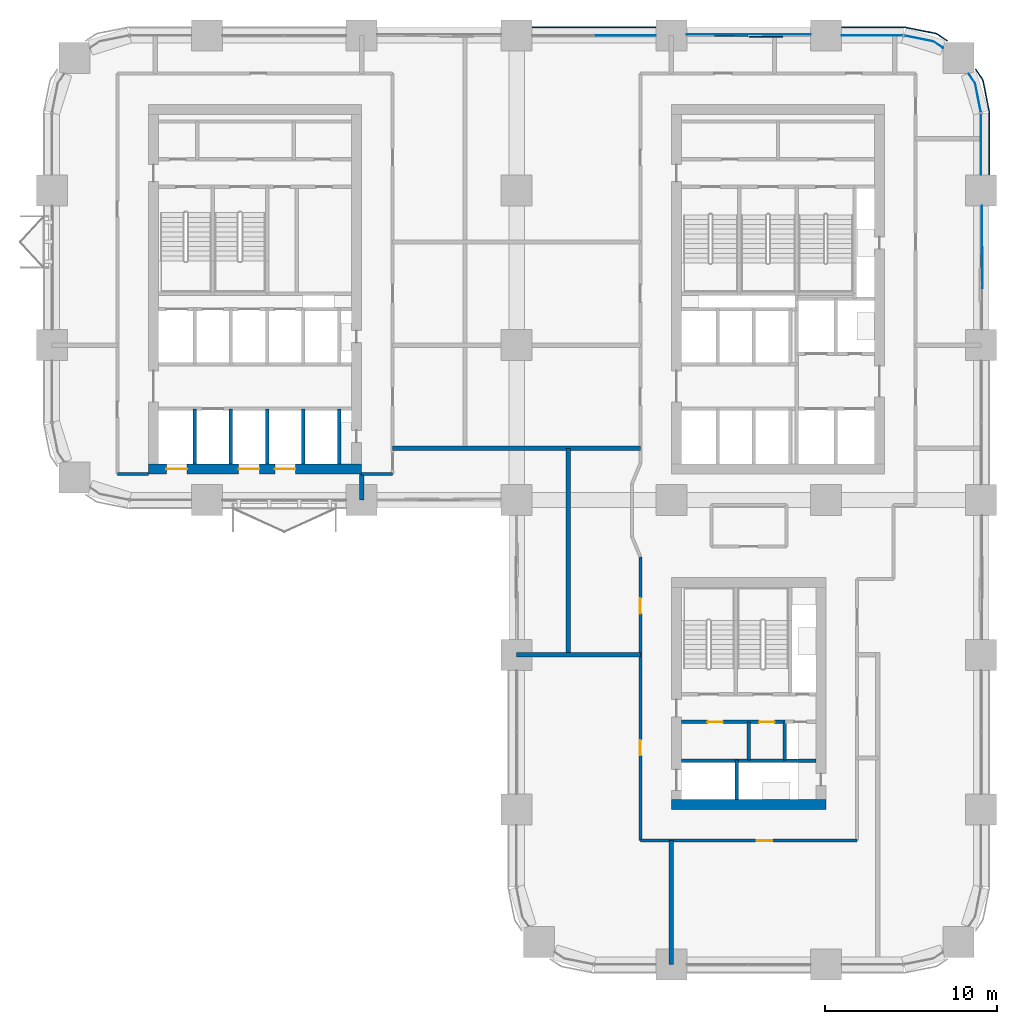
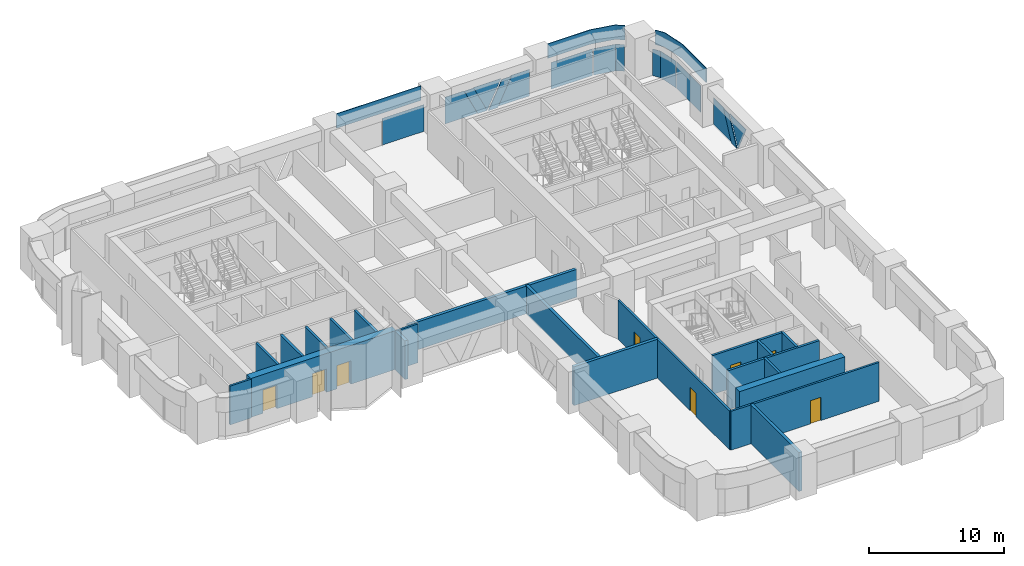
# One storey, part 11 of 18: 21 walls, 16 plates, 8 doors, 8 openings, 5 elements without a shape of their own.
"""IFC4 building model written with IfcOpenShell, lengths in metres."""

from ifc_helpers import new_model, si_unit, direction, frame, frame_2d, origin, origin_2d, place, context, subcontext, project, spatial, polyline, rectangle, outline, extrude, material, layer, layer_set, type_object, element, fill, aggregate, save


model = new_model("IFC4")

# Units and contexts
model_context = context("Model", 3, precision=1e-05, world=origin(), true_north=direction((0.0, 1.0)))
body_context = subcontext(model_context, "Body", "Model", "MODEL_VIEW")
ifc_project = project(units=[si_unit("LENGTHUNIT", "METRE"), si_unit("AREAUNIT", "SQUARE_METRE"), si_unit("VOLUMEUNIT", "CUBIC_METRE"), si_unit("PLANEANGLEUNIT", "RADIAN"), si_unit("MASSUNIT", "GRAM", prefix="KILO")], contexts=[model_context])

# Site, building, storey
site_placement = place(None, origin())
site = spatial("IfcSite", under=ifc_project, at=site_placement, CompositionType="ELEMENT")
building_placement = place(site_placement, origin())
building = spatial("IfcBuilding", under=site, at=building_placement, Name="Tessera Arch", CompositionType="ELEMENT")
storey_placement = place(building_placement, frame((0.0, 0.0, 115.800048828125)))
storey = spatial("IfcBuildingStorey", under=building, at=storey_placement, Name="L27", CompositionType="ELEMENT", Elevation=115.800048828125)

# Curtain wall, plates
ifc_material_1 = material(Name="CW1 curtain wall")
curtain_wall_type_1 = type_object("IfcCurtainWallType", Name="CW1 curtain wall", PredefinedType="NOTDEFINED", material=ifc_material_1)
curtain_wall_1_placement = place(storey_placement, origin())
curtain_wall_1 = element("IfcCurtainWall", 1, at=curtain_wall_1_placement, inside=storey, type_object=curtain_wall_type_1, Name="CW1 curtain wall N54.0/1 L27", PredefinedType="NOTDEFINED")
ifc_material_2 = material(Name="Clear low-e glass", Category="glass")
ifc_material_3 = material(Name="Clear low-e glass", Category="glass")
ifc_layer_1 = layer(ifc_material_3, 0.028076171875)
ifc_layer_set_1 = layer_set([ifc_layer_1], Name="CW1 glass panel")
plate_type_1 = type_object("IfcPlateType", Name="CW1 glass panel", PredefinedType="CURTAIN_PANEL", material=ifc_layer_set_1)
plate_1_placement = place(storey_placement, frame((33.31494140625, 54.0, 0.0), z_axis=(0.0, 0.0, 1.0), x_axis=(-1.0, 0.0, 0.0)))
plate_1 = element("IfcPlate", 2, at=plate_1_placement, type_object=plate_type_1, material=ifc_material_2, Name="CW1 glass panel N54.0/1 1.1.1", PredefinedType="CURTAIN_PANEL", context=body_context, shape_type="SweptSolid", body=[
    extrude(rectangle(XDim=3.570068359375, YDim=0.028076171875, at=origin_2d()), origin(), (0.0, 0.0, 1.0), 2.39990234375),
])
ifc_material_4 = material(Name="Pale anodised aluminium panel", Category="aluminium")
ifc_layer_2 = layer(ifc_material_4, 0.06005859375)
ifc_layer_set_2 = layer_set([ifc_layer_2], Name="CW1 spandrel panel")
plate_type_2 = type_object("IfcPlateType", Name="CW1 spandrel panel", PredefinedType="CURTAIN_PANEL", material=ifc_layer_set_2)
plate_2_placement = place(storey_placement, frame((31.5, 54.47998046875, 2.5), z_axis=(0.0, 0.0, 1.0), x_axis=(-1.0, 0.0, 0.0)))
plate_2 = element("IfcPlate", 3, at=plate_2_placement, type_object=plate_type_2, Name="CW1 spandrel panel N54.0/1", PredefinedType="CURTAIN_PANEL", context=body_context, shape_type="SweptSolid", body=[
    extrude(rectangle(XDim=7.199951171875, YDim=0.06005859375, at=origin_2d()), origin(), (0.0, 0.0, 1.0), 1.300048828125),
])
aggregate(curtain_wall_1, [plate_1, plate_2])

ifc_material_5 = material(Name="CW2 curtain wall")
curtain_wall_type_2 = type_object("IfcCurtainWallType", Name="CW2 curtain wall", PredefinedType="NOTDEFINED", material=ifc_material_5)
curtain_wall_2_placement = place(storey_placement, origin())
curtain_wall_2 = element("IfcCurtainWall", 4, at=curtain_wall_2_placement, inside=storey, type_object=curtain_wall_type_2, Name="CW2 curtain wall E54.0/5 L27", PredefinedType="NOTDEFINED")
ifc_material_6 = material(Name="Clear low-e glass", Category="glass")
ifc_layer_3 = layer(ifc_material_6, 0.028076171875)
ifc_layer_set_3 = layer_set([ifc_layer_3], Name="CW2 glass panel")
plate_type_3 = type_object("IfcPlateType", Name="CW2 glass panel", PredefinedType="CURTAIN_PANEL", material=ifc_layer_set_3)
plate_3_placement = place(storey_placement, frame((54.0, 47.679931640625, 0.0), z_axis=(0.0, 0.0, 1.0), x_axis=(0.0, 1.0, 0.0)))
plate_3 = element("IfcPlate", 5, at=plate_3_placement, type_object=plate_type_3, material=ifc_material_2, Name="CW2 glass panel E54.0/5 1.1", PredefinedType="CURTAIN_PANEL", context=body_context, shape_type="SweptSolid", body=[
    extrude(rectangle(XDim=3.56005859375, YDim=0.028076171875, at=origin_2d()), origin(), (0.0, 0.0, 1.0), 2.39990234375),
])
plate_4_placement = place(storey_placement, origin())
plate_4 = element("IfcPlate", 6, at=plate_4_placement, type_object=plate_type_3, material=ifc_material_2, Name="CW2 curved glass panel E54.0/5 2.1", PredefinedType="CURTAIN_PANEL", context=body_context, shape_type="SweptSolid", body=[
    extrude(outline(polyline([(53.644287109375, 51.216552734375), (53.978515625, 49.53662109375), (54.005859375, 49.5419921875), (53.670654296875, 51.2275390625), (53.294921875, 51.789794921875), (53.271728515625, 51.774169921875), (53.644287109375, 51.216552734375)])), origin(), (0.0, 0.0, 1.0), 2.39990234375),
])

curtain_wall_3_placement = place(storey_placement, origin())
curtain_wall_3 = element("IfcCurtainWall", 7, at=curtain_wall_3_placement, inside=storey, type_object=curtain_wall_type_2, Name="CW2 curtain wall N54.0/5 L27", PredefinedType="NOTDEFINED")
plate_5_placement = place(storey_placement, frame((47.679931640625, 54.0, 0.0), z_axis=(0.0, 0.0, 1.0), x_axis=(-1.0, 0.0, 0.0)))
plate_5 = element("IfcPlate", 8, at=plate_5_placement, type_object=plate_type_3, material=ifc_material_2, Name="CW2 glass panel N54.0/5 1.1", PredefinedType="CURTAIN_PANEL", context=body_context, shape_type="SweptSolid", body=[
    extrude(rectangle(XDim=3.56005859375, YDim=0.028076171875, at=origin_2d()), origin(), (0.0, 0.0, 1.0), 2.39990234375),
])
plate_6_placement = place(storey_placement, origin())
plate_6 = element("IfcPlate", 9, at=plate_6_placement, type_object=plate_type_3, material=ifc_material_2, Name="CW2 curved glass panel N54.0/5 2.1", PredefinedType="CURTAIN_PANEL", context=body_context, shape_type="SweptSolid", body=[
    extrude(outline(polyline([(51.216552734375, 53.644287109375), (51.774169921875, 53.271728515625), (51.789794921875, 53.294921875), (51.2275390625, 53.670654296875), (49.5419921875, 54.005859375), (49.53662109375, 53.978515625), (51.216552734375, 53.644287109375)])), origin(), (0.0, 0.0, 1.0), 2.39990234375),
])

# Plate
ifc_material_7 = material(Name="Pale anodised aluminium panel", Category="aluminium")
ifc_layer_4 = layer(ifc_material_7, 0.06005859375)
ifc_layer_set_4 = layer_set([ifc_layer_4], Name="CW2 spandrel panel")
plate_type_4 = type_object("IfcPlateType", Name="CW2 spandrel panel", PredefinedType="CURTAIN_PANEL", material=ifc_layer_set_4)
plate_7_placement = place(storey_placement, frame((0.0, 0.0, 2.5)))
plate_7 = element("IfcPlate", 10, at=plate_7_placement, type_object=plate_type_4, Name="CW2 spandrel panel E54.0/5", PredefinedType="CURTAIN_PANEL", context=body_context, shape_type="SweptSolid", body=[
    extrude(outline(polyline([(54.449951171875, 49.499267578125), (54.449951171875, 45.89990234375), (54.510009765625, 45.89990234375), (54.510009765625, 49.500732421875), (54.507568359375, 49.550048828125), (54.500244140625, 49.598876953125), (54.157470703125, 51.322265625), (54.1455078125, 51.3701171875), (54.128662109375, 51.417236328125), (54.107177734375, 51.462646484375), (54.08203125, 51.5048828125), (53.707275390625, 52.0654296875), (53.657470703125, 52.031982421875), (54.03125, 51.47265625), (54.05419921875, 51.434326171875), (54.0732421875, 51.394287109375), (54.088134765625, 51.352783203125), (54.09912109375, 51.30908203125), (54.441162109375, 49.588623046875), (54.44775390625, 49.544189453125), (54.449951171875, 49.499267578125)])), origin(), (0.0, 0.0, 1.0), 1.300048828125),
])

aggregate(curtain_wall_2, [plate_3, plate_4, plate_7])

plate_8_placement = place(storey_placement, frame((0.0, 0.0, 2.5)))
plate_8 = element("IfcPlate", 11, at=plate_8_placement, type_object=plate_type_4, Name="CW2 spandrel panel N54.0/5", PredefinedType="CURTAIN_PANEL", context=body_context, shape_type="SweptSolid", body=[
    extrude(outline(polyline([(51.47265625, 54.03125), (52.031982421875, 53.657470703125), (52.0654296875, 53.707275390625), (51.5048828125, 54.08203125), (51.462646484375, 54.107177734375), (51.417236328125, 54.128662109375), (51.3701171875, 54.1455078125), (51.322265625, 54.157470703125), (49.598876953125, 54.500244140625), (49.550048828125, 54.507568359375), (49.500732421875, 54.510009765625), (45.89990234375, 54.510009765625), (45.89990234375, 54.449951171875), (49.499267578125, 54.449951171875), (49.544189453125, 54.44775390625), (49.588623046875, 54.441162109375), (51.30908203125, 54.09912109375), (51.352783203125, 54.088134765625), (51.394287109375, 54.0732421875), (51.434326171875, 54.05419921875), (51.47265625, 54.03125)])), origin(), (0.0, 0.0, 1.0), 1.300048828125),
])

aggregate(curtain_wall_3, [plate_5, plate_6, plate_8])

# Curtain wall, plates
ifc_material_8 = material(Name="CW3 curtain wall")
curtain_wall_type_3 = type_object("IfcCurtainWallType", Name="CW3 curtain wall", PredefinedType="NOTDEFINED", material=ifc_material_8)
curtain_wall_4_placement = place(storey_placement, origin())
curtain_wall_4 = element("IfcCurtainWall", 12, at=curtain_wall_4_placement, inside=storey, type_object=curtain_wall_type_3, Name="CW3 curtain wall N54.0/0 L27", PredefinedType="NOTDEFINED")
ifc_material_9 = material(Name="Pale anodised aluminium panel", Category="aluminium")
ifc_layer_5 = layer(ifc_material_9, 0.06005859375)
ifc_layer_set_5 = layer_set([ifc_layer_5], Name="CW3 diagonal panel")
plate_type_5 = type_object("IfcPlateType", Name="CW3 diagonal panel", PredefinedType="CURTAIN_PANEL", material=ifc_layer_set_5)
plate_9_placement = place(storey_placement, frame((38.515869140625, 54.030029296875, 2.39990234375), z_axis=(0.0, 1.0, 0.0), x_axis=(1.0, 0.0, 0.0)))
plate_9 = element("IfcPlate", 13, at=plate_9_placement, type_object=plate_type_5, Name="CW3 diagonal panel N54.0/0 1", PredefinedType="CURTAIN_PANEL", context=body_context, shape_type="SweptSolid", body=[
    extrude(outline(polyline([(0.0, 0.0), (0.80029296875, 0.0), (1.9521484375, 2.39990234375), (1.152099609375, 2.39990234375), (0.0, 0.0)])), origin(), (0.0, 0.0, -1.0), 0.06005859375),
])
plate_10_placement = place(storey_placement, frame((41.683837890625, 53.969970703125, 2.39990234375), z_axis=(0.0, 1.0, 0.0), x_axis=(1.0, 0.0, 0.0)))
plate_10 = element("IfcPlate", 14, at=plate_10_placement, type_object=plate_type_5, Name="CW3 diagonal panel N54.0/0 2", PredefinedType="CURTAIN_PANEL", context=body_context, shape_type="SweptSolid", body=[
    extrude(outline(polyline([(0.0, 0.0), (0.80029296875, 0.0), (-0.351806640625, 2.39990234375), (-1.15185546875, 2.39990234375), (0.0, 0.0)])), origin(), (0.0, 0.0, -1.0), 0.06005859375),
])

# Curtain wall, plate
curtain_wall_5_placement = place(storey_placement, origin())
curtain_wall_5 = element("IfcCurtainWall", 15, at=curtain_wall_5_placement, inside=storey, type_object=curtain_wall_type_3, Name="CW3 curtain wall E54.0/4 L27", PredefinedType="NOTDEFINED")
plate_11_placement = place(storey_placement, frame((54.030029296875, 42.484130859375, 2.39990234375), z_axis=(1.0, 0.0, 0.0), x_axis=(0.0, -1.0, 0.0)))
plate_11 = element("IfcPlate", 16, at=plate_11_placement, type_object=plate_type_5, Name="CW3 diagonal panel E54.0/4 1", PredefinedType="CURTAIN_PANEL", context=body_context, shape_type="SweptSolid", body=[
    extrude(outline(polyline([(0.0, 0.0), (0.80029296875, 0.0), (1.9521484375, 2.39990234375), (1.152099609375, 2.39990234375), (0.0, 0.0)])), origin(), (0.0, 0.0, -1.0), 0.06005859375),
])

# Plate
ifc_material_10 = material(Name="Clear low-e glass", Category="glass")
ifc_layer_6 = layer(ifc_material_10, 0.028076171875)
ifc_layer_set_6 = layer_set([ifc_layer_6], Name="CW3 glass panel")
plate_type_6 = type_object("IfcPlateType", Name="CW3 glass panel", PredefinedType="CURTAIN_PANEL", material=ifc_layer_set_6)
plate_12_placement = place(storey_placement, frame((44.10009765625, 54.05810546875, 0.0), z_axis=(0.0, 1.0, 0.0), x_axis=(-1.0, 0.0, 0.0)))
plate_12 = element("IfcPlate", 17, at=plate_12_placement, type_object=plate_type_6, material=ifc_material_2, Name="CW3 triangulated glass panel N54.0/0 1", PredefinedType="CURTAIN_PANEL", context=body_context, shape_type="SweptSolid", body=[
    extrude(outline(polyline([(0.0, 0.0), (2.76806640625, 0.0), (1.615966796875, 2.39990234375), (0.0, 2.39990234375), (0.0, 0.0)])), origin(), (0.0, 0.0, -1.0), 0.028076171875),
])

plate_13_placement = place(storey_placement, frame((39.316162109375, 54.0859375, 2.39990234375), z_axis=(0.0, 1.0, 0.0), x_axis=(1.0, 0.0, 0.0)))
plate_13 = element("IfcPlate", 18, at=plate_13_placement, type_object=plate_type_6, material=ifc_material_2, Name="CW3 triangulated glass panel N54.0/0 2", PredefinedType="CURTAIN_PANEL", context=body_context, shape_type="SweptSolid", body=[
    extrude(outline(polyline([(0.0, 0.0), (2.36767578125, 0.0), (1.2158203125, 2.39990234375), (1.15185546875, 2.39990234375), (0.0, 0.0)])), origin(), (0.0, 0.0, -1.0), 0.028076171875),
])

plate_14_placement = place(storey_placement, frame((36.89990234375, 54.05810546875, 2.39990234375), z_axis=(0.0, 1.0, 0.0), x_axis=(1.0, 0.0, 0.0)))
plate_14 = element("IfcPlate", 19, at=plate_14_placement, type_object=plate_type_6, material=ifc_material_2, Name="CW3 triangulated glass panel N54.0/0 3", PredefinedType="CURTAIN_PANEL", context=body_context, shape_type="SweptSolid", body=[
    extrude(outline(polyline([(0.0, 0.0), (1.615966796875, 0.0), (2.76806640625, 2.39990234375), (0.0, 2.39990234375), (0.0, 0.0)])), origin(), (0.0, 0.0, -1.0), 0.028076171875),
])

aggregate(curtain_wall_4, [plate_12, plate_13, plate_14, plate_9, plate_10])

plate_15_placement = place(storey_placement, frame((54.0859375, 41.683837890625, 2.39990234375), z_axis=(1.0, 0.0, 0.0), x_axis=(0.0, -1.0, 0.0)))
plate_15 = element("IfcPlate", 20, at=plate_15_placement, type_object=plate_type_6, material=ifc_material_2, Name="CW3 triangulated glass panel E54.0/4 2", PredefinedType="CURTAIN_PANEL", context=body_context, shape_type="SweptSolid", body=[
    extrude(outline(polyline([(0.0, 0.0), (2.36767578125, 0.0), (1.2158203125, 2.39990234375), (1.15185546875, 2.39990234375), (0.0, 0.0)])), origin(), (0.0, 0.0, -1.0), 0.028076171875),
])

plate_16_placement = place(storey_placement, frame((54.05810546875, 44.10009765625, 2.39990234375), z_axis=(1.0, 0.0, 0.0), x_axis=(0.0, -1.0, 0.0)))
plate_16 = element("IfcPlate", 21, at=plate_16_placement, type_object=plate_type_6, material=ifc_material_2, Name="CW3 triangulated glass panel E54.0/4 3", PredefinedType="CURTAIN_PANEL", context=body_context, shape_type="SweptSolid", body=[
    extrude(outline(polyline([(0.0, 0.0), (1.615966796875, 0.0), (2.76806640625, 2.39990234375), (0.0, 2.39990234375), (0.0, 0.0)])), origin(), (0.0, 0.0, -1.0), 0.028076171875),
])

aggregate(curtain_wall_5, [plate_15, plate_16, plate_11])

# Wall
ifc_material_11 = material(Name="Gypsum board on steel stud", Category="steel")
ifc_layer_7 = layer(ifc_material_11, 0.125)
ifc_layer_set_7 = layer_set([ifc_layer_7], Name="Core partition 125 EI 60")
wall_type_1 = type_object("IfcWallType", Name="Core partition 125 EI 60", PredefinedType="PARTITIONING", material=ifc_layer_set_7)
wall_1_placement = place(storey_placement, frame((40.5, 11.89990234375, 0.0), z_axis=(0.0, 0.0, 1.0), x_axis=(0.0, 1.0, 0.0)))
element("IfcWall", 22, at=wall_1_placement, inside=storey, type_object=wall_type_1, Name="L27 C3 partition wall 4", PredefinedType="PARTITIONING", context=body_context, shape_type="SweptSolid", body=[
    extrude(rectangle(XDim=2.2001953125, YDim=0.199951171875, at=frame_2d((1.10009765625, 0.0))), origin(), (0.0, 0.0, 1.0), 3.5),
])

# Wall, openings, doors
wall_2_placement = place(storey_placement, frame((36.60009765625, 14.10009765625, 0.0), z_axis=(0.0, 0.0, 1.0), x_axis=(1.0, 0.0, 0.0)))
wall_2 = element("IfcWall", 23, at=wall_2_placement, inside=storey, type_object=wall_type_1, Name="L27 C3 partition wall 9", PredefinedType="PARTITIONING", context=body_context, shape_type="SweptSolid", body=[
    extrude(rectangle(XDim=6.0, YDim=0.199951171875, at=frame_2d((3.0, 0.0))), origin(), (0.0, 0.0, 1.0), 3.5),
])
opening_1_placement = place(wall_2_placement, frame((1.5, 0.0, 0.0)))
opening_1 = element("IfcOpeningElement", 24, at=opening_1_placement, cuts=wall_2, Name="Opening L27-C40", PredefinedType="OPENING", context=body_context, shape_type="SweptSolid", body=[
    extrude(rectangle(XDim=0.89990234375, YDim=2.10009765625, at=frame_2d((0.449951171875, 1.050048828125))), frame((0.0, 0.10986328125, 0.0), z_axis=(0.0, -1.0, 0.0), x_axis=(1.0, 0.0, 0.0)), (0.0, 0.0, 1.0), 0.219970703125),
])
opening_2_placement = place(wall_2_placement, frame((4.5, 0.0, 0.0)))
opening_2 = element("IfcOpeningElement", 25, at=opening_2_placement, cuts=wall_2, Name="Opening L27-C41", PredefinedType="OPENING", context=body_context, shape_type="SweptSolid", body=[
    extrude(rectangle(XDim=0.89990234375, YDim=2.10009765625, at=frame_2d((0.449951171875, 1.050048828125))), frame((0.0, 0.10986328125, 0.0), z_axis=(0.0, -1.0, 0.0), x_axis=(1.0, 0.0, 0.0)), (0.0, 0.0, 1.0), 0.219970703125),
])
ifc_material_12 = material(Name="Steel door leaf", Category="steel")
door_type_1 = type_object("IfcDoorType", Name="Store door FD30S 900 x 2100", OperationType="SINGLE_SWING_LEFT", PredefinedType="DOOR", material=ifc_material_12)
door_1_placement = place(opening_1_placement, origin())
door_1 = element("IfcDoor", 26, at=door_1_placement, inside=storey, type_object=door_type_1, Name="L27 C3 door 8 C40 type D09", OperationType="SINGLE_SWING_LEFT", OverallHeight=2.10009765625, OverallWidth=0.89990234375, PredefinedType="DOOR", context=body_context, shape_type="SweptSolid", body=[
    extrude(rectangle(XDim=0.89990234375, YDim=2.10009765625, at=frame_2d((0.449951171875, 1.050048828125))), frame((0.0, 0.02490234375, 0.0), z_axis=(0.0, -1.0, 0.0), x_axis=(1.0, 0.0, 0.0)), (0.0, 0.0, 1.0), 0.050048828125),
])
fill(opening_1, door_1)
door_2_placement = place(opening_2_placement, origin())
door_2 = element("IfcDoor", 27, at=door_2_placement, inside=storey, type_object=door_type_1, Name="L27 C3 door 9 C41 type D09", OperationType="SINGLE_SWING_RIGHT", OverallHeight=2.10009765625, OverallWidth=0.89990234375, PredefinedType="DOOR", context=body_context, shape_type="SweptSolid", body=[
    extrude(rectangle(XDim=0.89990234375, YDim=2.10009765625, at=frame_2d((0.449951171875, 1.050048828125))), frame((0.0, 0.02490234375, 0.0), z_axis=(0.0, -1.0, 0.0), x_axis=(1.0, 0.0, 0.0)), (0.0, 0.0, 1.0), 0.050048828125),
])
fill(opening_2, door_2)

ifc_material_13 = material(Name="Concrete C70/85", Category="concrete")
ifc_layer_8 = layer(ifc_material_13, 0.60009765625)
ifc_layer_set_8 = layer_set([ifc_layer_8], Name="Core shell wall 600 C70-85")
wall_type_2 = type_object("IfcWallType", Name="Core shell wall 600 C70-85", PredefinedType="SHEAR", material=ifc_layer_set_8)
wall_3_placement = place(storey_placement, frame((5.60009765625, 28.800048828125, 0.0), z_axis=(0.0, 0.0, 1.0), x_axis=(1.0, 0.0, 0.0)))
wall_3 = element("IfcWall", 28, at=wall_3_placement, inside=storey, type_object=wall_type_2, Name="L27 C2 core wall S", PredefinedType="SHEAR", context=body_context, shape_type="SweptSolid", body=[
    extrude(rectangle(XDim=12.39990234375, YDim=0.60009765625, at=frame_2d((6.199951171875, 0.0))), origin(), (0.0, 0.0, 1.0), 3.5),
])
opening_3_placement = place(wall_3_placement, frame((1.050048828125, 0.0, 0.0)))
opening_3 = element("IfcOpeningElement", 29, at=opening_3_placement, cuts=wall_3, Name="Opening L27-C14", PredefinedType="OPENING", context=body_context, shape_type="SweptSolid", body=[
    extrude(rectangle(XDim=1.199951171875, YDim=2.10009765625, at=frame_2d((0.60009765625, 1.050048828125))), frame((0.0, 0.31005859375, 0.0), z_axis=(0.0, -1.0, 0.0), x_axis=(1.0, 0.0, 0.0)), (0.0, 0.0, 1.0), 0.6201171875),
])
opening_4_placement = place(wall_3_placement, frame((5.25, 0.0, 0.0)))
opening_4 = element("IfcOpeningElement", 30, at=opening_4_placement, cuts=wall_3, Name="Opening L27-C16", PredefinedType="OPENING", context=body_context, shape_type="SweptSolid", body=[
    extrude(rectangle(XDim=1.199951171875, YDim=2.10009765625, at=frame_2d((0.60009765625, 1.050048828125))), frame((0.0, 0.31005859375, 0.0), z_axis=(0.0, -1.0, 0.0), x_axis=(1.0, 0.0, 0.0)), (0.0, 0.0, 1.0), 0.6201171875),
])
opening_5_placement = place(wall_3_placement, frame((7.35009765625, 0.0, 0.0)))
opening_5 = element("IfcOpeningElement", 31, at=opening_5_placement, cuts=wall_3, Name="Opening L27-C17", PredefinedType="OPENING", context=body_context, shape_type="SweptSolid", body=[
    extrude(rectangle(XDim=1.199951171875, YDim=2.10009765625, at=frame_2d((0.60009765625, 1.050048828125))), frame((0.0, 0.31005859375, 0.0), z_axis=(0.0, -1.0, 0.0), x_axis=(1.0, 0.0, 0.0)), (0.0, 0.0, 1.0), 0.6201171875),
])
ifc_material_14 = material(Name="Stainless steel AISI 304", Category="steel")
door_type_2 = type_object("IfcDoorType", Name="Sliding landing door 1200 x 2100", OperationType="SLIDING_TO_LEFT", PredefinedType="DOOR", material=ifc_material_14)
door_3_placement = place(opening_3_placement, origin())
door_3 = element("IfcDoor", 32, at=door_3_placement, inside=storey, type_object=door_type_2, Name="L27 LR1 lift landing door C14 type LD", OperationType="SLIDING_TO_LEFT", OverallHeight=2.10009765625, OverallWidth=1.199951171875, PredefinedType="DOOR", context=body_context, shape_type="SweptSolid", body=[
    extrude(rectangle(XDim=1.199951171875, YDim=2.10009765625, at=frame_2d((0.60009765625, 1.050048828125))), frame((0.0, 0.02490234375, 0.0), z_axis=(0.0, -1.0, 0.0), x_axis=(1.0, 0.0, 0.0)), (0.0, 0.0, 1.0), 0.050048828125),
])
fill(opening_3, door_3)
door_4_placement = place(opening_4_placement, origin())
door_4 = element("IfcDoor", 33, at=door_4_placement, inside=storey, type_object=door_type_2, Name="L27 LR3 lift landing door C16 type LD", OperationType="SLIDING_TO_LEFT", OverallHeight=2.10009765625, OverallWidth=1.199951171875, PredefinedType="DOOR", context=body_context, shape_type="SweptSolid", body=[
    extrude(rectangle(XDim=1.199951171875, YDim=2.10009765625, at=frame_2d((0.60009765625, 1.050048828125))), frame((0.0, 0.02490234375, 0.0), z_axis=(0.0, -1.0, 0.0), x_axis=(1.0, 0.0, 0.0)), (0.0, 0.0, 1.0), 0.050048828125),
])
fill(opening_4, door_4)
door_5_placement = place(opening_5_placement, origin())
door_5 = element("IfcDoor", 34, at=door_5_placement, inside=storey, type_object=door_type_2, Name="L27 LR4 lift landing door C17 type LD", OperationType="SLIDING_TO_LEFT", OverallHeight=2.10009765625, OverallWidth=1.199951171875, PredefinedType="DOOR", context=body_context, shape_type="SweptSolid", body=[
    extrude(rectangle(XDim=1.199951171875, YDim=2.10009765625, at=frame_2d((0.60009765625, 1.050048828125))), frame((0.0, 0.02490234375, 0.0), z_axis=(0.0, -1.0, 0.0), x_axis=(1.0, 0.0, 0.0)), (0.0, 0.0, 1.0), 0.050048828125),
])
fill(opening_5, door_5)

# Wall
wall_4_placement = place(storey_placement, frame((36.0, 9.300048828125, 0.0), z_axis=(0.0, 0.0, 1.0), x_axis=(1.0, 0.0, 0.0)))
element("IfcWall", 35, at=wall_4_placement, inside=storey, type_object=wall_type_2, Name="L27 C3 core wall S", PredefinedType="SHEAR", context=body_context, shape_type="SweptSolid", body=[
    extrude(rectangle(XDim=9.0, YDim=0.60009765625, at=frame_2d((4.5, 0.0))), origin(), (0.0, 0.0, 1.0), 3.5),
])

# Wall, opening, door
ifc_material_15 = material(Name="Gypsum board on deep steel stud with mineral wool", Category="steel")
ifc_layer_9 = layer(ifc_material_15, 0.175048828125)
ifc_layer_set_9 = layer_set([ifc_layer_9], Name="Corridor wall 175 EI 60")
wall_type_3 = type_object("IfcWallType", Name="Corridor wall 175 EI 60", PredefinedType="PARTITIONING", material=ifc_layer_set_9)
wall_5_placement = place(storey_placement, frame((34.199951171875, 7.199951171875, 0.0), z_axis=(0.0, 0.0, 1.0), x_axis=(1.0, 0.0, 0.0)))
wall_5 = element("IfcWall", 36, at=wall_5_placement, inside=storey, type_object=wall_type_3, Name="L27 partition 1", PredefinedType="PARTITIONING", context=body_context, shape_type="SweptSolid", body=[
    extrude(rectangle(XDim=12.60009765625, YDim=0.175048828125, at=frame_2d((6.300048828125, 0.0))), origin(), (0.0, 0.0, 1.0), 3.5),
])
opening_6_placement = place(wall_5_placement, frame((6.75, 0.0, 0.0)))
opening_6 = element("IfcOpeningElement", 37, at=opening_6_placement, cuts=wall_5, Name="Opening L27-D001", PredefinedType="OPENING", context=body_context, shape_type="SweptSolid", body=[
    extrude(rectangle(XDim=0.89990234375, YDim=2.10009765625, at=frame_2d((0.449951171875, 1.050048828125))), frame((0.0, 0.097412109375, 0.0), z_axis=(0.0, -1.0, 0.0), x_axis=(1.0, 0.0, 0.0)), (0.0, 0.0, 1.0), 0.195068359375),
])
ifc_material_16 = material(Name="Timber door leaf", Category="wood")
door_type_3 = type_object("IfcDoorType", Name="Room door 900 x 2100", OperationType="SINGLE_SWING_LEFT", PredefinedType="DOOR", material=ifc_material_16)
door_6_placement = place(opening_6_placement, origin())
door_6 = element("IfcDoor", 38, at=door_6_placement, inside=storey, type_object=door_type_3, Name="L27 door D001 type D01", OperationType="SINGLE_SWING_RIGHT", OverallHeight=2.10009765625, OverallWidth=0.89990234375, PredefinedType="DOOR", context=body_context, shape_type="SweptSolid", body=[
    extrude(rectangle(XDim=0.89990234375, YDim=2.10009765625, at=frame_2d((0.449951171875, 1.050048828125))), frame((0.0, 0.02490234375, 0.0), z_axis=(0.0, -1.0, 0.0), x_axis=(1.0, 0.0, 0.0)), (0.0, 0.0, 1.0), 0.050048828125),
])
fill(opening_6, door_6)

# Walls
for number, where, z_axis, x_axis, name in (
    (39, (3.800048828125, 28.5, 0.0), (0.0, 0.0, 1.0), (1.0, 0.0, 0.0), "L27 partition 6"),
    (40, (18.0, 28.5, 0.0), (0.0, 0.0, 1.0), (1.0, 0.0, 0.0), "L27 partition 7"),
):
    element("IfcWall", number, at=place(storey_placement, frame(where, z_axis=z_axis, x_axis=x_axis)), inside=storey, type_object=wall_type_3, Name=name, PredefinedType="PARTITIONING", context=body_context, shape_type="SweptSolid", body=[
        extrude(rectangle(XDim=1.800048828125, YDim=0.175048828125, at=frame_2d((0.89990234375, 0.0))), origin(), (0.0, 0.0, 1.0), 3.5),
    ])

# Wall, openings, doors
wall_6_placement = place(storey_placement, frame((34.199951171875, 7.199951171875, 0.0), z_axis=(0.0, 0.0, 1.0), x_axis=(0.0, 1.0, 0.0)))
wall_6 = element("IfcWall", 41, at=wall_6_placement, inside=storey, type_object=wall_type_3, Name="L27 partition 13", PredefinedType="PARTITIONING", context=body_context, shape_type="SweptSolid", body=[
    extrude(rectangle(XDim=16.489990234375, YDim=0.175048828125, at=frame_2d((8.2451171875, 0.0))), origin(), (0.0, 0.0, 1.0), 3.5),
])
opening_7_placement = place(wall_6_placement, frame((4.949951171875, 0.0, 0.0)))
opening_7 = element("IfcOpeningElement", 42, at=opening_7_placement, cuts=wall_6, Name="Opening L27-D002", PredefinedType="OPENING", context=body_context, shape_type="SweptSolid", body=[
    extrude(rectangle(XDim=0.89990234375, YDim=2.10009765625, at=frame_2d((0.449951171875, 1.050048828125))), frame((0.0, 0.097412109375, 0.0), z_axis=(0.0, -1.0, 0.0), x_axis=(1.0, 0.0, 0.0)), (0.0, 0.0, 1.0), 0.195068359375),
])
opening_8_placement = place(wall_6_placement, frame((13.195068359375, 0.0, 0.0)))
opening_8 = element("IfcOpeningElement", 43, at=opening_8_placement, cuts=wall_6, Name="Opening L27-D005", PredefinedType="OPENING", context=body_context, shape_type="SweptSolid", body=[
    extrude(rectangle(XDim=0.89990234375, YDim=2.10009765625, at=frame_2d((0.449951171875, 1.050048828125))), frame((0.0, 0.097412109375, 0.0), z_axis=(0.0, -1.0, 0.0), x_axis=(1.0, 0.0, 0.0)), (0.0, 0.0, 1.0), 0.195068359375),
])
door_7_placement = place(opening_7_placement, origin())
door_7 = element("IfcDoor", 44, at=door_7_placement, inside=storey, type_object=door_type_3, Name="L27 door D002 type D01", OperationType="SINGLE_SWING_RIGHT", OverallHeight=2.10009765625, OverallWidth=0.89990234375, PredefinedType="DOOR", context=body_context, shape_type="SweptSolid", body=[
    extrude(rectangle(XDim=0.89990234375, YDim=2.10009765625, at=frame_2d((0.449951171875, 1.050048828125))), frame((0.0, 0.02490234375, 0.0), z_axis=(0.0, -1.0, 0.0), x_axis=(1.0, 0.0, 0.0)), (0.0, 0.0, 1.0), 0.050048828125),
])
fill(opening_7, door_7)
door_8_placement = place(opening_8_placement, origin())
door_8 = element("IfcDoor", 45, at=door_8_placement, inside=storey, type_object=door_type_3, Name="L27 door D005 type D01", OperationType="SINGLE_SWING_LEFT", OverallHeight=2.10009765625, OverallWidth=0.89990234375, PredefinedType="DOOR", context=body_context, shape_type="SweptSolid", body=[
    extrude(rectangle(XDim=0.89990234375, YDim=2.10009765625, at=frame_2d((0.449951171875, 1.050048828125))), frame((0.0, 0.02490234375, 0.0), z_axis=(0.0, -1.0, 0.0), x_axis=(1.0, 0.0, 0.0)), (0.0, 0.0, 1.0), 0.050048828125),
])
fill(opening_8, door_8)

# Walls
ifc_material_17 = material(Name="Double gypsum board on twin steel stud with acoustic mineral wool", Category="steel")
ifc_layer_10 = layer(ifc_material_17, 0.25)
ifc_layer_set_10 = layer_set([ifc_layer_10], Name="Party wall 250 EI 60")
wall_type_4 = type_object("IfcWallType", Name="Party wall 250 EI 60", PredefinedType="PARTITIONING", material=ifc_layer_set_10)
wall_7_placement = place(storey_placement, frame((27.0, 18.0, 0.0), z_axis=(0.0, 0.0, 1.0), x_axis=(1.0, 0.0, 0.0)))
element("IfcWall", 46, at=wall_7_placement, inside=storey, type_object=wall_type_4, Name="L27 partition 21", PredefinedType="PARTITIONING", context=body_context, shape_type="SweptSolid", body=[
    extrude(rectangle(XDim=7.199951171875, YDim=0.25, at=frame_2d((3.60009765625, 0.0))), origin(), (0.0, 0.0, 1.0), 3.5),
])
wall_8_placement = place(storey_placement, frame((19.800048828125, 30.0, 0.0), z_axis=(0.0, 0.0, 1.0), x_axis=(1.0, 0.0, 0.0)))
element("IfcWall", 47, at=wall_8_placement, inside=storey, type_object=wall_type_4, Name="L27 partition 23", PredefinedType="PARTITIONING", context=body_context, shape_type="SweptSolid", body=[
    extrude(rectangle(XDim=14.39990234375, YDim=0.25, at=frame_2d((7.199951171875, 0.0))), origin(), (0.0, 0.0, 1.0), 2.5),
])
wall_9_placement = place(storey_placement, frame((18.0, 27.0, 0.0), z_axis=(0.0, 0.0, 1.0), x_axis=(0.0, 1.0, 0.0)))
element("IfcWall", 48, at=wall_9_placement, inside=storey, type_object=wall_type_4, Name="L27 partition 31", PredefinedType="PARTITIONING", context=body_context, shape_type="SweptSolid", body=[
    extrude(rectangle(XDim=1.5, YDim=0.25, at=frame_2d((0.75, 0.0))), origin(), (0.0, 0.0, 1.0), 3.5),
])
wall_10_placement = place(storey_placement, frame((30.0, 18.0, 0.0), z_axis=(0.0, 0.0, 1.0), x_axis=(0.0, 1.0, 0.0)))
element("IfcWall", 49, at=wall_10_placement, inside=storey, type_object=wall_type_4, Name="L27 partition 34", PredefinedType="PARTITIONING", context=body_context, shape_type="SweptSolid", body=[
    extrude(rectangle(XDim=12.0, YDim=0.25, at=frame_2d((6.0, 0.0))), origin(), (0.0, 0.0, 1.0), 2.5),
])
wall_11_placement = place(storey_placement, frame((36.0, 0.0, 0.0), z_axis=(0.0, 0.0, 1.0), x_axis=(0.0, 1.0, 0.0)))
element("IfcWall", 50, at=wall_11_placement, inside=storey, type_object=wall_type_4, Name="L27 partition 35", PredefinedType="PARTITIONING", context=body_context, shape_type="SweptSolid", body=[
    extrude(rectangle(XDim=7.199951171875, YDim=0.25, at=frame_2d((3.60009765625, 0.0))), origin(), (0.0, 0.0, 1.0), 3.5),
])
ifc_material_18 = material(Name="Concrete C40/50", Category="concrete")
ifc_layer_11 = layer(ifc_material_18, 0.199951171875)
ifc_layer_set_11 = layer_set([ifc_layer_11], Name="Shaft wall 200 EI 120")
wall_type_5 = type_object("IfcWallType", Name="Shaft wall 200 EI 120", PredefinedType="SOLIDWALL", material=ifc_layer_set_11)
for number, where, z_axis, x_axis, name in (
    (51, (8.300048828125, 29.10009765625, 0.0), (0.0, 0.0, 1.0), (0.0, 1.0, 0.0), "L27 C2 shaft wall 1"),
    (52, (10.39990234375, 29.10009765625, 0.0), (0.0, 0.0, 1.0), (0.0, 1.0, 0.0), "L27 C2 shaft wall 6"),
    (53, (12.5, 29.10009765625, 0.0), (0.0, 0.0, 1.0), (0.0, 1.0, 0.0), "L27 C2 shaft wall 8"),
    (54, (14.60009765625, 29.10009765625, 0.0), (0.0, 0.0, 1.0), (0.0, 1.0, 0.0), "L27 C2 shaft wall 14"),
    (55, (16.699951171875, 29.10009765625, 0.0), (0.0, 0.0, 1.0), (0.0, 1.0, 0.0), "L27 C2 shaft wall 16"),
):
    element("IfcWall", number, at=place(storey_placement, frame(where, z_axis=z_axis, x_axis=x_axis)), inside=storey, type_object=wall_type_5, Name=name, PredefinedType="SOLIDWALL", context=body_context, shape_type="SweptSolid", body=[
        extrude(rectangle(XDim=3.199951171875, YDim=0.199951171875, at=frame_2d((1.60009765625, 0.0))), origin(), (0.0, 0.0, 1.0), 3.5),
    ])
wall_12_placement = place(storey_placement, frame((39.800048828125, 9.60009765625, 0.0), z_axis=(0.0, 0.0, 1.0), x_axis=(0.0, 1.0, 0.0)))
element("IfcWall", 56, at=wall_12_placement, inside=storey, type_object=wall_type_5, Name="L27 C3 shaft wall 3", PredefinedType="SOLIDWALL", context=body_context, shape_type="SweptSolid", body=[
    extrude(rectangle(XDim=2.2998046875, YDim=0.199951171875, at=frame_2d((1.14990234375, 0.0))), origin(), (0.0, 0.0, 1.0), 3.5),
])
wall_13_placement = place(storey_placement, frame((42.60009765625, 11.89990234375, 0.0), z_axis=(0.0, 0.0, 1.0), x_axis=(0.0, 1.0, 0.0)))
element("IfcWall", 57, at=wall_13_placement, inside=storey, type_object=wall_type_5, Name="L27 C3 shaft wall 5", PredefinedType="SOLIDWALL", context=body_context, shape_type="SweptSolid", body=[
    extrude(rectangle(XDim=2.2001953125, YDim=0.199951171875, at=frame_2d((1.10009765625, 0.0))), origin(), (0.0, 0.0, 1.0), 3.5),
])
wall_14_placement = place(storey_placement, frame((36.60009765625, 11.85009765625, 0.0), z_axis=(0.0, 0.0, 1.0), x_axis=(1.0, 0.0, 0.0)))
element("IfcWall", 58, at=wall_14_placement, inside=storey, type_object=wall_type_5, Name="L27 C3 shaft wall 8", PredefinedType="SOLIDWALL", context=body_context, shape_type="SweptSolid", body=[
    extrude(rectangle(XDim=7.7998046875, YDim=0.199951171875, at=frame_2d((3.89990234375, 0.0))), origin(), (0.0, 0.0, 1.0), 3.5),
])

save(model, "model.ifc")
